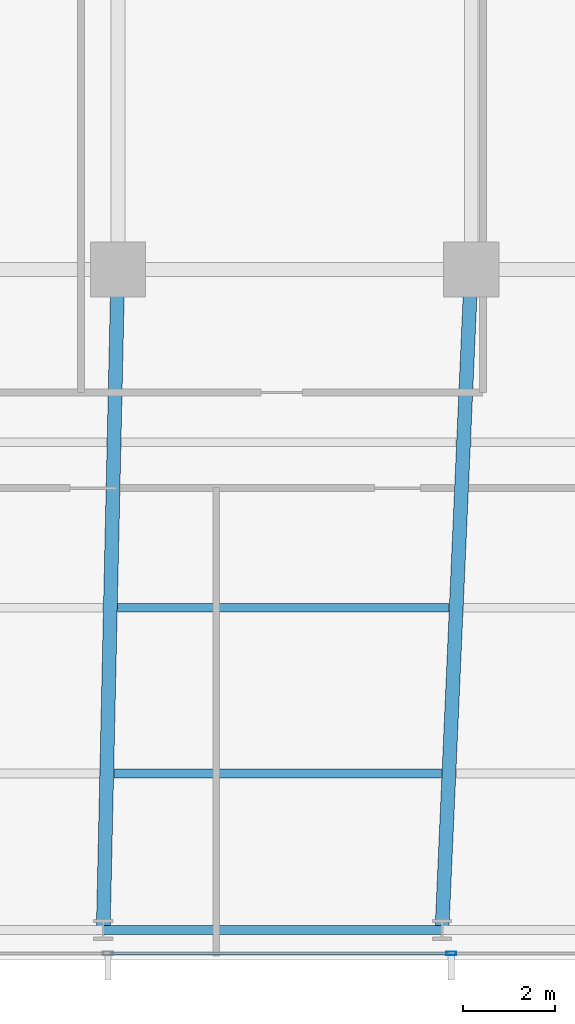
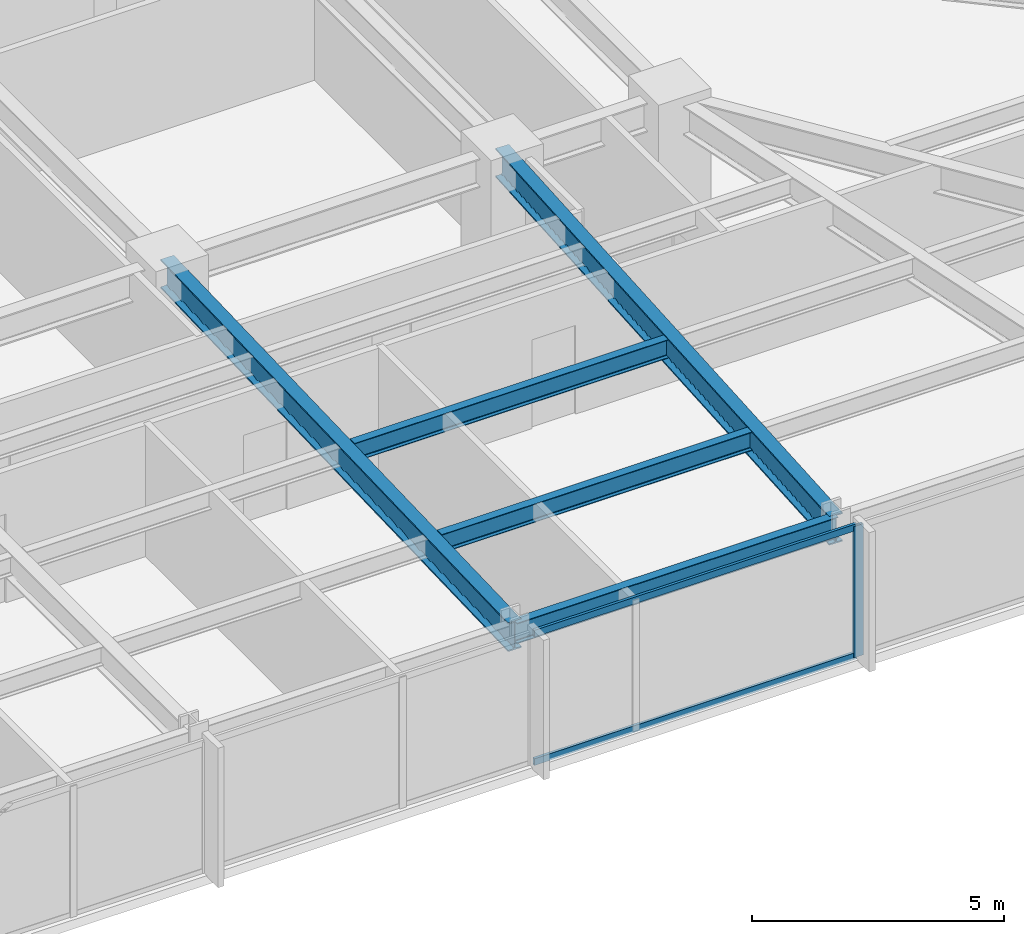
# One storey, part 12 of 33: 5 beams, 3 members, 1 element without a shape of its own.
"""IFC4 building model written with IfcOpenShell, lengths in metres."""

from ifc_helpers import new_model, si_unit, direction, frame, origin, origin_2d, place, context, subcontext, project, spatial, hollow_rectangle, i_section, extrude, material, material_profile, profile_set, type_object, element, aggregate, save


model = new_model("IFC4")

# Units and contexts
model_context = context("Model", 3, precision=1e-05, world=origin(), true_north=direction((0.0, 1.0)))
body_context = subcontext(model_context, "Body", "Model", "MODEL_VIEW")
ifc_project = project(units=[si_unit("LENGTHUNIT", "METRE"), si_unit("AREAUNIT", "SQUARE_METRE"), si_unit("VOLUMEUNIT", "CUBIC_METRE"), si_unit("PLANEANGLEUNIT", "RADIAN"), si_unit("MASSUNIT", "GRAM", prefix="KILO")], contexts=[model_context])

# Site, building, storey
site_placement = place(None, origin())
site = spatial("IfcSite", under=ifc_project, at=site_placement, CompositionType="ELEMENT")
building_placement = place(site_placement, origin())
building = spatial("IfcBuilding", under=site, at=building_placement, Name="Yelkora Congress Tower", CompositionType="ELEMENT")
storey_placement = place(building_placement, frame((0.0, 0.0, 71.199951171875)))
storey = spatial("IfcBuildingStorey", under=building, at=storey_placement, Name="L18", CompositionType="ELEMENT", Elevation=71.199951171875)

# Beams
ifc_material_1 = material(Name="Steel S355J2", Category="steel")
ifc_material_profile_1 = material_profile(ifc_material_1, i_section(OverallWidth=0.300048828125, OverallDepth=0.699951171875, WebThickness=0.01708984375, FlangeThickness=0.031982421875, FilletRadius=0.027099609375, at=origin_2d()), Name="HEB 700")
ifc_profile_set_1 = profile_set([ifc_material_profile_1], Name="Steel S355J2")
beam_type_1 = type_object("IfcBeamType", Name="BM-GIRD-HEB700", PredefinedType="BEAM", material=ifc_profile_set_1)
beam_1_placement = place(storey_placement, frame((45.762451171875, 10.85009765625, 2.830078125), z_axis=(0.022129088136, 0.999755121746, 0.0), x_axis=(-0.999755121746, 0.022129088136, 0.0)))
element("IfcBeam", 1, at=beam_1_placement, inside=storey, type_object=beam_type_1, Name="L18 Primary Frame Girder S06", PredefinedType="BEAM", context=body_context, shape_type="SweptSolid", body=[
    extrude(i_section(OverallWidth=0.300048828125, OverallDepth=0.699951171875, WebThickness=0.01708984375, FlangeThickness=0.031982421875, FilletRadius=0.027099609375, at=origin_2d()), origin(), (0.0, 0.0, 1.0), 14.353271484375),
])
beam_2_placement = place(storey_placement, frame((53.125, 10.85009765625, 2.830078125), z_axis=(0.044208738849, 0.999022315771, 0.0), x_axis=(-0.999022315771, 0.044208738849, 0.0)))
element("IfcBeam", 2, at=beam_2_placement, inside=storey, type_object=beam_type_1, Name="L18 Primary Frame Girder S07", PredefinedType="BEAM", context=body_context, shape_type="SweptSolid", body=[
    extrude(i_section(OverallWidth=0.300048828125, OverallDepth=0.699951171875, WebThickness=0.01708984375, FlangeThickness=0.031982421875, FilletRadius=0.027099609375, at=origin_2d()), origin(), (0.0, 0.0, 1.0), 14.364013671875),
])
ifc_material_profile_2 = material_profile(ifc_material_1, i_section(OverallWidth=0.18994140625, OverallDepth=0.449951171875, WebThickness=0.009521484375, FlangeThickness=0.0146484375, FilletRadius=0.02099609375, at=origin_2d()), Name="IPE 450")
ifc_profile_set_2 = profile_set([ifc_material_profile_2], Name="Steel S355J2")
beam_type_2 = type_object("IfcBeamType", Name="BM-JOIST-IPE450", PredefinedType="JOIST", material=ifc_profile_set_2)
beam_3_placement = place(storey_placement, frame((45.997802734375, 14.25, 2.955078125), z_axis=(1.0, 0.0, 0.0), x_axis=(0.0, 1.0, 0.0)))
element("IfcBeam", 3, at=beam_3_placement, inside=storey, type_object=beam_type_2, Name="L18 Composite Floor Joist 6", PredefinedType="JOIST", context=body_context, shape_type="SweptSolid", body=[
    extrude(i_section(OverallWidth=0.18994140625, OverallDepth=0.449951171875, WebThickness=0.009521484375, FlangeThickness=0.0146484375, FilletRadius=0.02099609375, at=origin_2d()), origin(), (0.0, 0.0, 1.0), 7.11767578125),
])
beam_4_placement = place(storey_placement, frame((46.077392578125, 17.85009765625, 2.955078125), z_axis=(1.0, 0.0, 0.0), x_axis=(0.0, 1.0, 0.0)))
element("IfcBeam", 4, at=beam_4_placement, inside=storey, type_object=beam_type_2, Name="L18 Composite Floor Joist 14", PredefinedType="JOIST", context=body_context, shape_type="SweptSolid", body=[
    extrude(i_section(OverallWidth=0.18994140625, OverallDepth=0.449951171875, WebThickness=0.009521484375, FlangeThickness=0.0146484375, FilletRadius=0.02099609375, at=origin_2d()), origin(), (0.0, 0.0, 1.0), 7.197509765625),
])
ifc_material_profile_3 = material_profile(ifc_material_1, i_section(OverallWidth=0.199951171875, OverallDepth=0.5, WebThickness=0.01025390625, FlangeThickness=0.01611328125, FilletRadius=0.02099609375, at=origin_2d()), Name="IPE 500")
ifc_profile_set_3 = profile_set([ifc_material_profile_3], Name="Steel S355J2")
beam_type_3 = type_object("IfcBeamType", Name="BM-SPAN-IPE500", PredefinedType="SPANDREL", material=ifc_profile_set_3)
beam_5_placement = place(storey_placement, frame((45.762451171875, 10.85009765625, 2.929931640625), z_axis=(1.0, 0.0, 0.0), x_axis=(0.0, 1.0, 0.0)))
element("IfcBeam", 5, at=beam_5_placement, inside=storey, type_object=beam_type_3, Name="L18 Perimeter Beam 7", PredefinedType="SPANDREL", context=body_context, shape_type="SweptSolid", body=[
    extrude(i_section(OverallWidth=0.199951171875, OverallDepth=0.5, WebThickness=0.01025390625, FlangeThickness=0.01611328125, FilletRadius=0.02099609375, at=origin_2d()), origin(), (0.0, 0.0, 1.0), 7.362548828125),
])

# Curtain wall, members
ifc_material_2 = material(Name="Anodised aluminium and insulated glass", Category="aluminium")
curtain_wall_type = type_object("IfcCurtainWallType", Name="CW-SYS-B1", PredefinedType="NOTDEFINED", material=ifc_material_2)
curtain_wall_placement = place(storey_placement, origin())
curtain_wall = element("IfcCurtainWall", 6, at=curtain_wall_placement, inside=storey, type_object=curtain_wall_type, Name="L18 Unitised Curtain Wall 20", PredefinedType="NOTDEFINED")
ifc_material_3 = material(Name="Anodised aluminium 6063-T6", Category="aluminium")
ifc_material_profile_4 = material_profile(ifc_material_3, hollow_rectangle(XDim=0.074951171875, YDim=0.219970703125, WallThickness=0.0048828125, at=origin_2d()), Name="ALU 75x220x5")
ifc_profile_set_4 = profile_set([ifc_material_profile_4], Name="Anodised aluminium 6063-T6")
member_type_1 = type_object("IfcMemberType", Name="MEM-ML-B1", PredefinedType="MULLION", material=ifc_profile_set_4)
member_1_placement = place(storey_placement, frame((53.330078125, 10.340087890625, 0.0), z_axis=(0.0, 0.0, 1.0), x_axis=(0.0, -1.0, 0.0)))
member_1 = element("IfcMember", 7, at=member_1_placement, type_object=member_type_1, Name="CW-B1 mullion 3", PredefinedType="MULLION", context=body_context, shape_type="SweptSolid", body=[
    extrude(hollow_rectangle(XDim=0.074951171875, YDim=0.219970703125, WallThickness=0.0048828125, at=origin_2d()), origin(), (0.0, 0.0, 1.0), 3.179931640625),
])
ifc_material_profile_5 = material_profile(ifc_material_3, hollow_rectangle(XDim=0.06494140625, YDim=0.159912109375, WallThickness=0.00390625, at=origin_2d()), Name="ALU 65x160x4")
ifc_profile_set_5 = profile_set([ifc_material_profile_5], Name="Anodised aluminium 6063-T6")
member_type_2 = type_object("IfcMemberType", Name="MEM-TR-B1", PredefinedType="USERDEFINED", material=ifc_profile_set_5)
member_2_placement = place(storey_placement, frame((53.29248046875, 10.340087890625, 0.032470703125), z_axis=(-1.0, 0.0, 0.0), x_axis=(0.0, -1.0, 0.0)))
member_2 = element("IfcMember", 8, at=member_2_placement, type_object=member_type_2, Name="CW-B1 transom 3.1", ObjectType="TRANSOM", PredefinedType="USERDEFINED", context=body_context, shape_type="SweptSolid", body=[
    extrude(hollow_rectangle(XDim=0.06494140625, YDim=0.159912109375, WallThickness=0.00390625, at=origin_2d()), origin(), (0.0, 0.0, 1.0), 7.389892578125),
])
member_3_placement = place(storey_placement, frame((53.29248046875, 10.340087890625, 3.1474609375), z_axis=(-1.0, 0.0, 0.0), x_axis=(0.0, -1.0, 0.0)))
member_3 = element("IfcMember", 9, at=member_3_placement, type_object=member_type_2, Name="CW-B1 transom 3.2", ObjectType="TRANSOM", PredefinedType="USERDEFINED", context=body_context, shape_type="SweptSolid", body=[
    extrude(hollow_rectangle(XDim=0.06494140625, YDim=0.159912109375, WallThickness=0.00390625, at=origin_2d()), origin(), (0.0, 0.0, 1.0), 7.389892578125),
])
aggregate(curtain_wall, [member_1, member_2, member_3])

save(model, "model.ifc")
